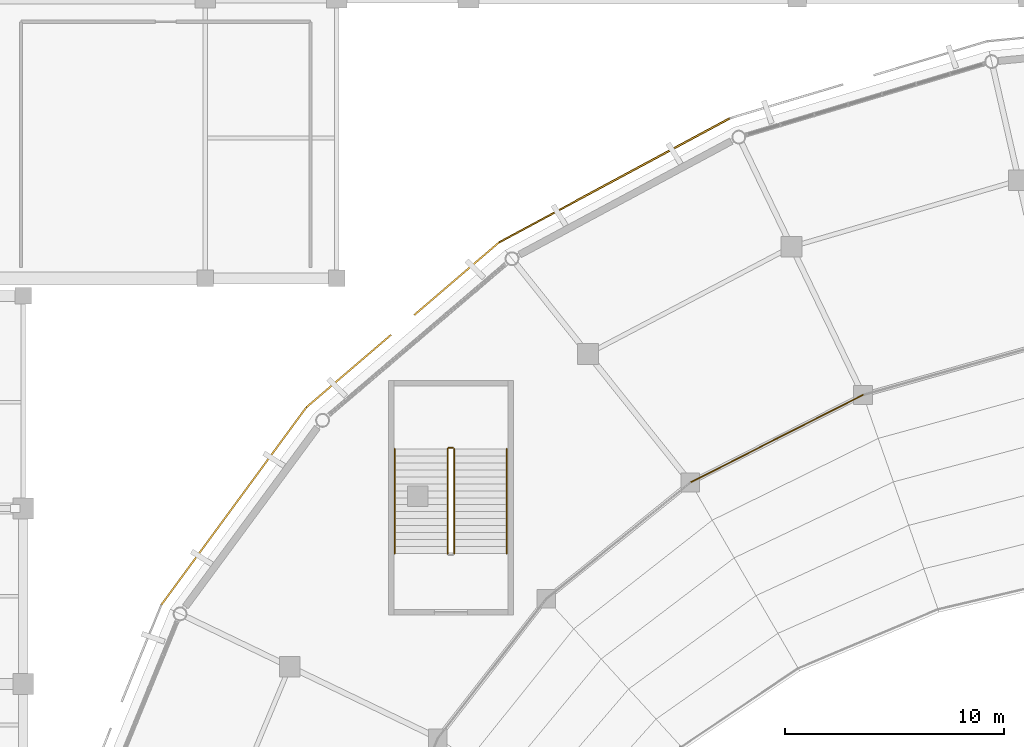
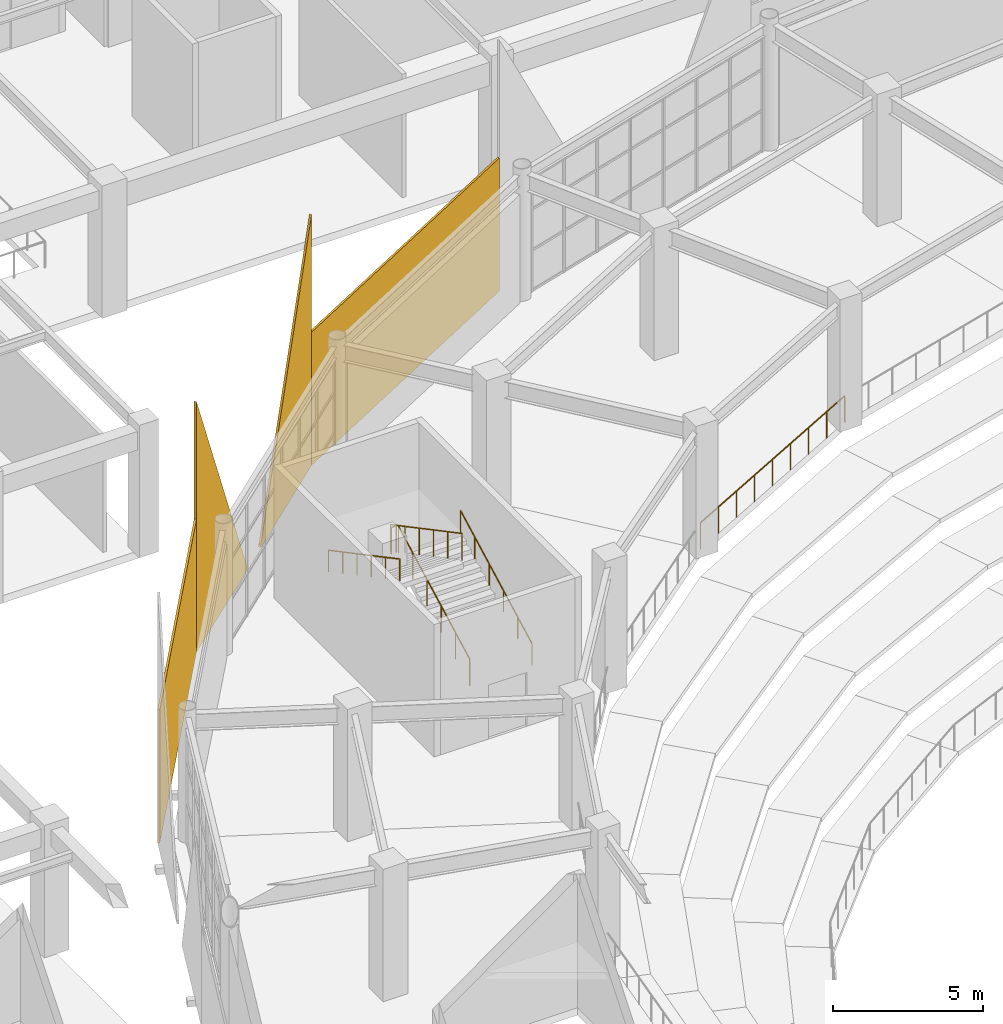
# One storey, part 105 of 120: 6 railings, 4 coverings.
"""IFC4 building model written with IfcOpenShell, lengths in metres."""

from ifc_helpers import new_model, si_unit, direction, frame, frame_2d, origin, origin_2d, place, context, subcontext, project, spatial, polyline, rectangle, circle, outline, extrude, material, layer, layer_set, type_object, element, save


model = new_model("IFC4")

# Units and contexts
model_context = context("Model", 3, precision=1e-05, world=origin(), true_north=direction((0.0, 1.0)))
body_context = subcontext(model_context, "Body", "Model", "MODEL_VIEW")
ifc_project = project(units=[si_unit("LENGTHUNIT", "METRE"), si_unit("AREAUNIT", "SQUARE_METRE"), si_unit("VOLUMEUNIT", "CUBIC_METRE"), si_unit("PLANEANGLEUNIT", "RADIAN"), si_unit("MASSUNIT", "GRAM", prefix="KILO")], contexts=[model_context])

# Site, building, storey
site_placement = place(None, origin())
site = spatial("IfcSite", under=ifc_project, at=site_placement, CompositionType="ELEMENT")
building_placement = place(site_placement, origin())
building = spatial("IfcBuilding", under=site, at=building_placement, Name="Cuetzalor Civic Arena", CompositionType="ELEMENT")
storey_placement = place(building_placement, frame((0.0, 0.0, 6.0)))
storey = spatial("IfcBuildingStorey", under=building, at=storey_placement, Name="L01", CompositionType="ELEMENT", Elevation=6.0)

# Railings
ifc_material_1 = material(Name="Reseda-green Steel S355 and laminated glass guard", Category="steel")
railing_type_1 = type_object("IfcRailingType", Name="BowlSightlineGuard_1100", PredefinedType="BALUSTRADE", material=ifc_material_1)
railing_1_placement = place(storey_placement, frame((-18.006103515625, 30.1826171875, 0.0)))
element("IfcRailing", 1, at=railing_1_placement, inside=storey, type_object=railing_type_1, Name="Lower Bowl Concourse Rim Balustrade S10", PredefinedType="BALUSTRADE", context=body_context, shape_type="SweptSolid", body=[
    extrude(circle(Radius=0.02392578125, at=origin_2d()), frame((0.0, 0.0, 1.076171875), z_axis=(-0.891833390372, -0.452364016935, 0.0), x_axis=(0.452364016935, -0.891833390372, 0.0)), (0.0, 0.0, 1.0), 8.822998046875),
    extrude(circle(Radius=0.02099609375, at=origin_2d()), origin(), (0.0, 0.0, 1.0), 1.052001953125),
    extrude(circle(Radius=0.02099609375, at=origin_2d()), frame((-0.983642578125, -0.4990234375, 0.0)), (0.0, 0.0, 1.0), 1.052001953125),
    extrude(circle(Radius=0.02099609375, at=origin_2d()), frame((-1.96728515625, -0.997802734375, 0.0)), (0.0, 0.0, 1.0), 1.052001953125),
    extrude(circle(Radius=0.02099609375, at=origin_2d()), frame((-2.95068359375, -1.49658203125, 0.0)), (0.0, 0.0, 1.0), 1.052001953125),
    extrude(circle(Radius=0.02099609375, at=origin_2d()), frame((-3.934326171875, -1.99560546875, 0.0)), (0.0, 0.0, 1.0), 1.052001953125),
    extrude(circle(Radius=0.02099609375, at=origin_2d()), frame((-4.91796875, -2.49462890625, 0.0)), (0.0, 0.0, 1.0), 1.052001953125),
    extrude(circle(Radius=0.02099609375, at=origin_2d()), frame((-5.9013671875, -2.993408203125, 0.0)), (0.0, 0.0, 1.0), 1.052001953125),
    extrude(circle(Radius=0.02099609375, at=origin_2d()), frame((-6.885009765625, -3.4921875, 0.0)), (0.0, 0.0, 1.0), 1.052001953125),
    extrude(circle(Radius=0.02099609375, at=origin_2d()), frame((-7.86865234375, -3.9912109375, 0.0)), (0.0, 0.0, 1.0), 1.052001953125),
])
ifc_material_2 = material(Name="Reseda-green architectural Steel S355 balustrade", Category="steel")
railing_type_2 = type_object("IfcRailingType", Name="InteriorVoidBalustrade_1100", PredefinedType="BALUSTRADE", material=ifc_material_2)
railing_2_placement = place(storey_placement, frame((-36.64990234375, 22.949951171875, 0.168701171875)))
element("IfcRailing", 2, at=railing_2_placement, inside=storey, type_object=railing_type_2, Name="L01 ST-04 stair guard 1", PredefinedType="BALUSTRADE", context=body_context, shape_type="SweptSolid", body=[
    extrude(circle(Radius=0.02392578125, at=origin_2d()), frame((0.0, 0.0, 1.0810546875), z_axis=(0.0, 0.883332211103, 0.468747485143), x_axis=(-1.0, 0.0, 0.0)), (0.0, 0.0, 1.0), 5.400146484375),
    extrude(circle(Radius=0.02099609375, at=origin_2d()), origin(), (0.0, 0.0, 1.0), 1.056884765625),
    extrude(circle(Radius=0.02099609375, at=origin_2d()), frame((0.0, 0.9541015625, 0.50634765625)), (0.0, 0.0, 1.0), 1.056884765625),
    extrude(circle(Radius=0.02099609375, at=origin_2d()), frame((0.0, 1.907958984375, 1.012451171875)), (0.0, 0.0, 1.0), 1.056884765625),
    extrude(circle(Radius=0.02099609375, at=origin_2d()), frame((0.0, 2.862060546875, 1.518798828125)), (0.0, 0.0, 1.0), 1.056884765625),
    extrude(circle(Radius=0.02099609375, at=origin_2d()), frame((0.0, 3.81591796875, 2.02490234375)), (0.0, 0.0, 1.0), 1.056884765625),
    extrude(circle(Radius=0.02099609375, at=origin_2d()), frame((0.0, 4.77001953125, 2.53125)), (0.0, 0.0, 1.0), 1.056884765625),
])
railing_3_placement = place(storey_placement, frame((-36.699951171875, 27.77001953125, 2.699951171875)))
element("IfcRailing", 3, at=railing_3_placement, inside=storey, type_object=railing_type_2, Name="L01 ST-04 stair guard 2", PredefinedType="BALUSTRADE", context=body_context, shape_type="SweptSolid", body=[
    extrude(circle(Radius=0.02392578125, at=origin_2d()), frame((0.0, 0.0, 1.0810546875), z_axis=(-1.0, 0.0, 0.0), x_axis=(0.0, -1.0, 0.0)), (0.0, 0.0, 1.0), 0.199951171875),
    extrude(circle(Radius=0.02099609375, at=origin_2d()), origin(), (0.0, 0.0, 1.0), 1.056884765625),
    extrude(circle(Radius=0.02099609375, at=origin_2d()), frame((-0.199951171875, 0.0, 0.0)), (0.0, 0.0, 1.0), 1.056884765625),
])
railing_4_placement = place(storey_placement, frame((-36.949951171875, 27.719970703125, 2.86865234375)))
element("IfcRailing", 4, at=railing_4_placement, inside=storey, type_object=railing_type_2, Name="L01 ST-04 stair guard 3", PredefinedType="BALUSTRADE", context=body_context, shape_type="SweptSolid", body=[
    extrude(circle(Radius=0.02392578125, at=origin_2d()), frame((0.0, 0.0, 1.0810546875), z_axis=(0.0, -0.883332211103, 0.468747485143), x_axis=(1.0, 0.0, 0.0)), (0.0, 0.0, 1.0), 5.400146484375),
    extrude(circle(Radius=0.02099609375, at=origin_2d()), origin(), (0.0, 0.0, 1.0), 1.056884765625),
    extrude(circle(Radius=0.02099609375, at=origin_2d()), frame((0.0, -0.9541015625, 0.50634765625)), (0.0, 0.0, 1.0), 1.056884765625),
    extrude(circle(Radius=0.02099609375, at=origin_2d()), frame((0.0, -1.907958984375, 1.012451171875)), (0.0, 0.0, 1.0), 1.056884765625),
    extrude(circle(Radius=0.02099609375, at=origin_2d()), frame((0.0, -2.862060546875, 1.518798828125)), (0.0, 0.0, 1.0), 1.056884765625),
    extrude(circle(Radius=0.02099609375, at=origin_2d()), frame((0.0, -3.81591796875, 2.02490234375)), (0.0, 0.0, 1.0), 1.056884765625),
    extrude(circle(Radius=0.02099609375, at=origin_2d()), frame((0.0, -4.77001953125, 2.53125)), (0.0, 0.0, 1.0), 1.056884765625),
])
ifc_material_3 = material(Name="Galvanised steel S355", Category="steel")
railing_type_3 = type_object("IfcRailingType", Name="StairPitchHandrail_900", PredefinedType="HANDRAIL", material=ifc_material_3)
railing_5_placement = place(storey_placement, frame((-34.25, 22.949951171875, 0.168701171875)))
element("IfcRailing", 5, at=railing_5_placement, inside=storey, type_object=railing_type_3, Name="L01 ST-04 stair handrail 1", PredefinedType="HANDRAIL", context=body_context, shape_type="SweptSolid", body=[
    extrude(circle(Radius=0.02392578125, at=origin_2d()), frame((0.0, 0.0, 0.8759765625), z_axis=(0.0, 0.883332211103, 0.468747485143), x_axis=(-1.0, 0.0, 0.0)), (0.0, 0.0, 1.0), 5.400146484375),
    extrude(circle(Radius=0.02099609375, at=origin_2d()), origin(), (0.0, 0.0, 1.0), 0.851806640625),
    extrude(circle(Radius=0.02099609375, at=origin_2d()), frame((0.0, 0.9541015625, 0.50634765625)), (0.0, 0.0, 1.0), 0.851806640625),
    extrude(circle(Radius=0.02099609375, at=origin_2d()), frame((0.0, 1.907958984375, 1.012451171875)), (0.0, 0.0, 1.0), 0.851806640625),
    extrude(circle(Radius=0.02099609375, at=origin_2d()), frame((0.0, 2.862060546875, 1.518798828125)), (0.0, 0.0, 1.0), 0.851806640625),
    extrude(circle(Radius=0.02099609375, at=origin_2d()), frame((0.0, 3.81591796875, 2.02490234375)), (0.0, 0.0, 1.0), 0.851806640625),
    extrude(circle(Radius=0.02099609375, at=origin_2d()), frame((0.0, 4.77001953125, 2.53125)), (0.0, 0.0, 1.0), 0.851806640625),
])
railing_6_placement = place(storey_placement, frame((-39.35009765625, 27.719970703125, 2.86865234375)))
element("IfcRailing", 6, at=railing_6_placement, inside=storey, type_object=railing_type_3, Name="L01 ST-04 stair handrail 2", PredefinedType="HANDRAIL", context=body_context, shape_type="SweptSolid", body=[
    extrude(circle(Radius=0.02392578125, at=origin_2d()), frame((0.0, 0.0, 0.8759765625), z_axis=(0.0, -0.883332211103, 0.468747485143), x_axis=(1.0, 0.0, 0.0)), (0.0, 0.0, 1.0), 5.400146484375),
    extrude(circle(Radius=0.02099609375, at=origin_2d()), origin(), (0.0, 0.0, 1.0), 0.851806640625),
    extrude(circle(Radius=0.02099609375, at=origin_2d()), frame((0.0, -0.9541015625, 0.50634765625)), (0.0, 0.0, 1.0), 0.851806640625),
    extrude(circle(Radius=0.02099609375, at=origin_2d()), frame((0.0, -1.907958984375, 1.012451171875)), (0.0, 0.0, 1.0), 0.851806640625),
    extrude(circle(Radius=0.02099609375, at=origin_2d()), frame((0.0, -2.862060546875, 1.518798828125)), (0.0, 0.0, 1.0), 0.851806640625),
    extrude(circle(Radius=0.02099609375, at=origin_2d()), frame((0.0, -3.81591796875, 2.02490234375)), (0.0, 0.0, 1.0), 0.851806640625),
    extrude(circle(Radius=0.02099609375, at=origin_2d()), frame((0.0, -4.77001953125, 2.53125)), (0.0, 0.0, 1.0), 0.851806640625),
])

# Coverings
ifc_material_4 = material(Name="Terracotta-red perforated anodised aluminium panel", Category="masonry")
ifc_layer = layer(ifc_material_4, 0.080078125)
ifc_layer_set = layer_set([ifc_layer], Name="Terracotta-red perforated anodised aluminium panel")
covering_type = type_object("IfcCoveringType", Name="TerracottaPerforatedScreenPanel", PredefinedType="CLADDING", material=ifc_layer_set)
covering_1_placement = place(storey_placement, frame((-34.603759765625, 37.136962890625, -0.14990234375), z_axis=(0.0, 0.0, 1.0), x_axis=(0.880729476331, 0.473619667584, 0.0)))
element("IfcCovering", 7, at=covering_1_placement, inside=storey, type_object=covering_type, Name="Terracotta Perforated Drum Screen L01-S10", PredefinedType="CLADDING", context=body_context, shape_type="SweptSolid", body=[
    extrude(rectangle(XDim=11.9482421875, YDim=0.080078125, at=frame_2d((5.97412109375, 0.0))), origin(), (0.0, 0.0, 1.0), 5.429931640625),
])
covering_2_placement = place(storey_placement, frame((-43.3916015625, 29.61572265625, -0.14990234375), z_axis=(0.0, 0.0, 1.0), x_axis=(0.75974060177, 0.650226282169, 0.0)))
element("IfcCovering", 8, at=covering_2_placement, inside=storey, type_object=covering_type, Name="Terracotta Perforated Triangle Cheek Left S11", PredefinedType="CLADDING", context=body_context, shape_type="SweptSolid", body=[
    extrude(outline(polyline([(0.0, 0.0), (5.089599609375, 0.0), (5.089599609375, 0.139892578125), (0.0, 10.22998046875), (0.0, 0.0)])), frame((0.0, 0.0400390625, 0.0), z_axis=(0.0, -1.0, 0.0), x_axis=(1.0, 0.0, 0.0)), (0.0, 0.0, 1.0), 0.080078125),
])
covering_3_placement = place(storey_placement, frame((-38.470458984375, 33.82763671875, -0.14990234375), z_axis=(0.0, 0.0, 1.0), x_axis=(0.75974060177, 0.650226282169, 0.0)))
element("IfcCovering", 9, at=covering_3_placement, inside=storey, type_object=covering_type, Name="Terracotta Perforated Triangle Cheek Right S11", PredefinedType="CLADDING", context=body_context, shape_type="SweptSolid", body=[
    extrude(outline(polyline([(0.0, 0.0), (5.089599609375, 0.0), (5.089599609375, 10.22998046875), (0.0, 0.139892578125), (0.0, 0.0)])), frame((0.0, 0.0400390625, 0.0), z_axis=(0.0, -1.0, 0.0), x_axis=(1.0, 0.0, 0.0)), (0.0, 0.0, 1.0), 0.080078125),
])
covering_4_placement = place(storey_placement, frame((-50.00390625, 20.609619140625, -0.14990234375), z_axis=(0.0, 0.0, 1.0), x_axis=(0.591819224601, 0.806070719846, 0.0)))
element("IfcCovering", 10, at=covering_4_placement, inside=storey, type_object=covering_type, Name="Terracotta Perforated Drum Screen L01-S12", PredefinedType="CLADDING", context=body_context, shape_type="SweptSolid", body=[
    extrude(rectangle(XDim=11.1728515625, YDim=0.080078125, at=frame_2d((5.58642578125, 0.0))), origin(), (0.0, 0.0, 1.0), 5.429931640625),
])

save(model, "model.ifc")
